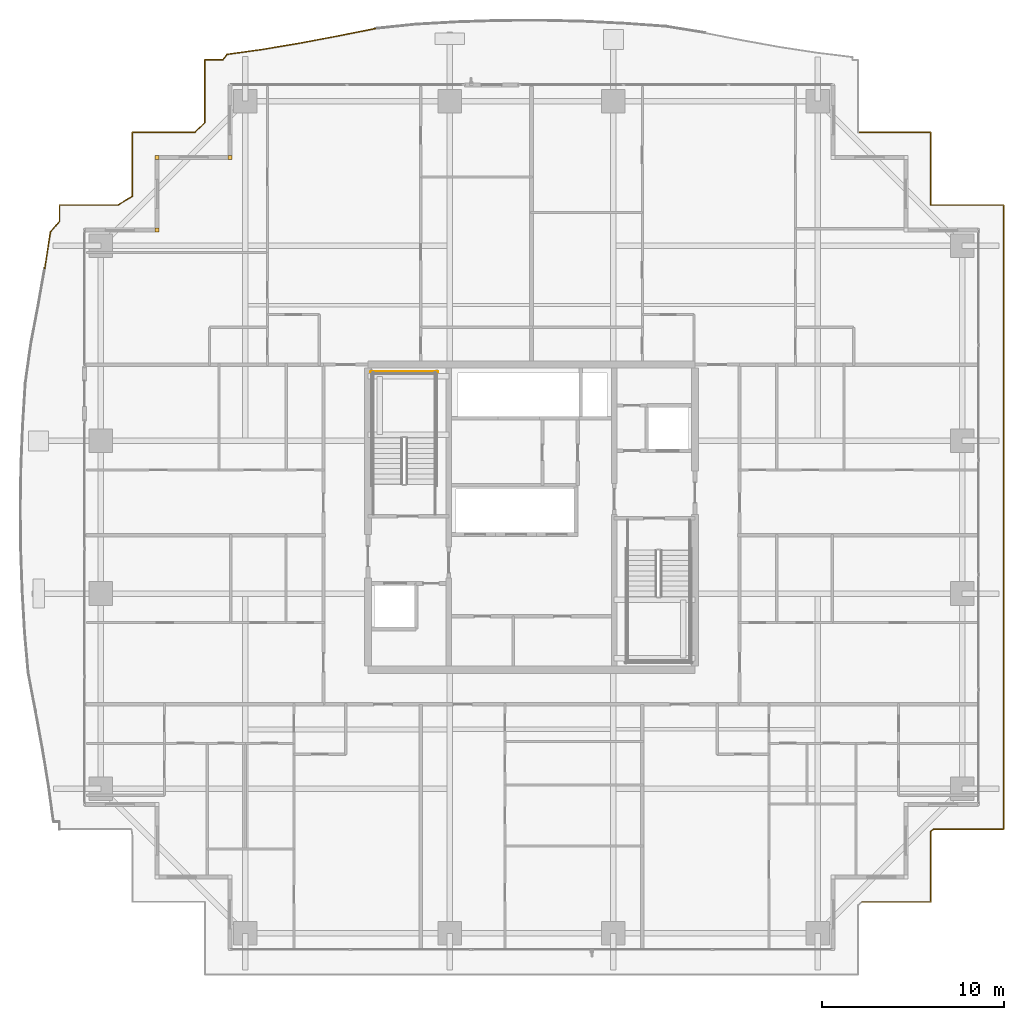
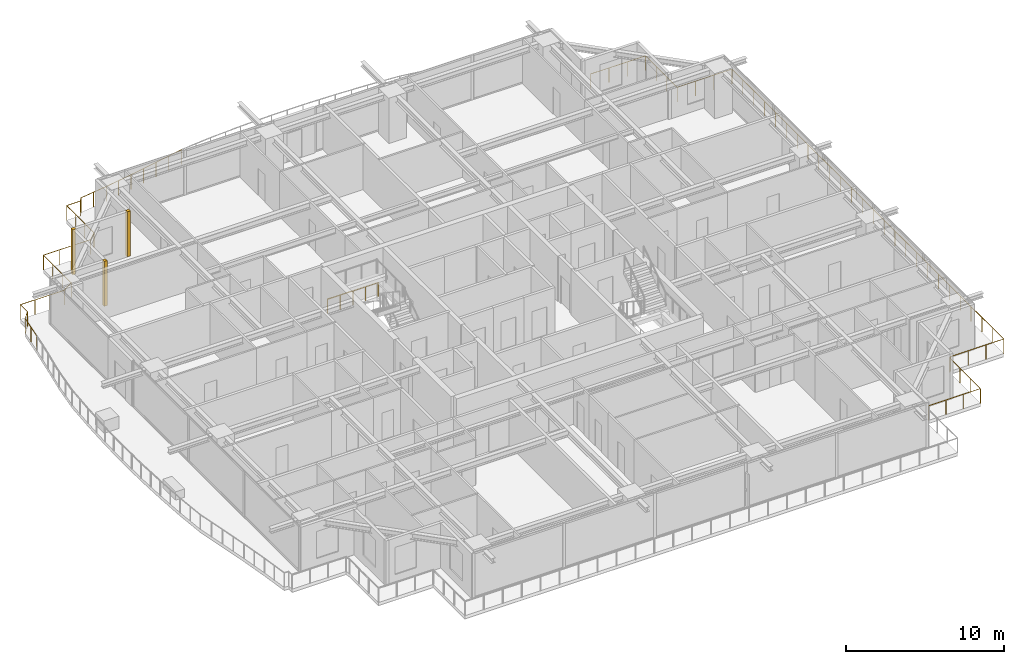
# One storey, part 38 of 39: 4 railings, 3 coverings.
"""IFC4 building model written with IfcOpenShell, lengths in metres."""

import ifcopenshell
import ifcopenshell.guid

model = None  # the IFC model being written
_history = None  # IfcOwnerHistory: only IFC2X3 demands one
_inside = {}  # id of a spatial element -> (the spatial element, [elements in it])
_under = {}  # id of a project, library or spatial element -> (it, [spatial elements below it])
_declared = {}  # id of a project -> (the project, [libraries it declares])
_typed = {}  # id of a type object -> (the type object, [elements of that type])
_made_of = {}  # id of a material, layer set ... -> (it, [elements and type objects made of it])


def new_model(schema):
    """Start an empty IFC model of exactly this schema.

    Asked for "IFC4X3", IfcOpenShell would pick the latest addendum, in which some entities
    have other attributes; the version numbers below select the first issue.
    IFC2X3 requires an IfcOwnerHistory on every rooted entity: one is made here for all.
    """
    global model, _history
    if schema == "IFC4X3":
        model = ifcopenshell.file(schema_version=(4, 3, 0, 0))
    else:
        model = ifcopenshell.file(schema=schema)
    _inside.clear()
    _under.clear()
    _declared.clear()
    _typed.clear()
    _made_of.clear()
    _history = None
    if model.schema == "IFC2X3":
        org = make("IfcOrganization", Name="unknown")
        user = make(
            "IfcPersonAndOrganization",
            ThePerson=make("IfcPerson", FamilyName="unknown"),
            TheOrganization=org,
        )
        app = make(
            "IfcApplication",
            ApplicationDeveloper=org,
            Version="unknown",
            ApplicationFullName="unknown",
            ApplicationIdentifier="unknown",
        )
        _history = make(
            "IfcOwnerHistory",
            OwningUser=user,
            OwningApplication=app,
            ChangeAction="ADDED",
            CreationDate=0,
        )
    return model


def make(cls, **values):
    """One entity of the class cls with the attributes given. An attribute that is None is left unset."""
    return model.create_entity(
        cls, **{name: value for name, value in values.items() if value is not None}
    )


def rooted(cls, **values):
    """An entity with a GlobalId (a new one), such as an element, a storey or a relation."""
    return make(cls, GlobalId=ifcopenshell.guid.new(), OwnerHistory=_history, **values)


def si_unit(unit_type, name, prefix=None):
    """IfcSIUnit, for example si_unit("LENGTHUNIT", "METRE", prefix="MILLI")."""
    return make("IfcSIUnit", UnitType=unit_type, Prefix=prefix, Name=name)


def assignment(units):
    """IfcUnitAssignment: the units of a project."""
    return None if units is None else make("IfcUnitAssignment", Units=units)


def point(xyz):
    """IfcCartesianPoint."""
    return None if xyz is None else make("IfcCartesianPoint", Coordinates=xyz)


def direction(xyz):
    """IfcDirection."""
    return None if xyz is None else make("IfcDirection", DirectionRatios=xyz)


def frame(location, z_axis=None, x_axis=None):
    """IfcAxis2Placement3D, a coordinate frame: its origin and axes. An axis left out is left unset."""
    return make(
        "IfcAxis2Placement3D",
        Location=point(location),
        Axis=direction(z_axis),
        RefDirection=direction(x_axis),
    )


def frame_2d(location, x_axis=None):
    """IfcAxis2Placement2D, a coordinate frame in the plane: its origin and x axis."""
    return make(
        "IfcAxis2Placement2D", Location=point(location), RefDirection=direction(x_axis)
    )


def origin():
    """The frame at (0, 0, 0) with its axes left unset."""
    return frame((0.0, 0.0, 0.0))


def origin_2d():
    """The frame at (0, 0) in the plane with its x axis left unset."""
    return frame_2d((0.0, 0.0))


def place(relative_to, where):
    """IfcLocalPlacement: puts the frame where relative to a parent placement (None: the world)."""
    return make(
        "IfcLocalPlacement", PlacementRelTo=relative_to, RelativePlacement=where
    )


def context(
    kind, dimensions, precision=None, world=None, true_north=None, identifier=None
):
    """IfcGeometricRepresentationContext, for example the 3D "Model" context."""
    return make(
        "IfcGeometricRepresentationContext",
        ContextIdentifier=identifier,
        ContextType=kind,
        CoordinateSpaceDimension=dimensions,
        Precision=precision,
        WorldCoordinateSystem=world,
        TrueNorth=true_north,
    )


def subcontext(parent, identifier, kind, view, scale=None):
    """IfcGeometricRepresentationSubContext, for example "Body" below "Model"."""
    return make(
        "IfcGeometricRepresentationSubContext",
        ContextIdentifier=identifier,
        ContextType=kind,
        ParentContext=parent,
        TargetScale=scale,
        TargetView=view,
    )


def project(units=None, contexts=None):
    """IfcProject with its units and contexts."""
    return rooted(
        "IfcProject",
        Name="project",
        RepresentationContexts=contexts,
        UnitsInContext=assignment(units),
    )


def spatial(cls, under=None, at=None, **own):
    """A site, building, storey or space (cls), placed at a placement, below another one or the project."""
    s = rooted(cls, ObjectPlacement=at, **own)
    if under is not None:
        _under.setdefault(under.id(), (under, []))[1].append(s)
    return s


def profile(cls, at=None, kind="AREA", **sizes):
    """A parametric profile (cls). Its sizes go by their IFC names, for example OverallWidth=200.0."""
    return make(cls, ProfileType=kind, Position=at, **sizes)


def rectangle(**sizes):
    """IfcRectangleProfileDef."""
    return profile("IfcRectangleProfileDef", **sizes)


def circle(**sizes):
    """IfcCircleProfileDef."""
    return profile("IfcCircleProfileDef", **sizes)


def extrude(swept, where, along, depth):
    """IfcExtrudedAreaSolid: the profile swept, set in the frame where, extruded along a direction by depth."""
    return make(
        "IfcExtrudedAreaSolid",
        SweptArea=swept,
        Position=where,
        ExtrudedDirection=direction(along),
        Depth=depth,
    )


def shape(context_of_items, identifier, shape_type, items):
    """IfcShapeRepresentation: the items that make up one representation, for example the "Body"."""
    return make(
        "IfcShapeRepresentation",
        ContextOfItems=context_of_items,
        RepresentationIdentifier=identifier,
        RepresentationType=shape_type,
        Items=items,
    )


def source(mapping_origin, context_of_items, identifier, shape_type, items):
    """IfcRepresentationMap: a shape defined once, which mapped items show again and again."""
    return make(
        "IfcRepresentationMap",
        MappingOrigin=mapping_origin,
        MappedRepresentation=shape(context_of_items, identifier, shape_type, items),
    )


def transform(
    local_origin,
    x_axis=None,
    y_axis=None,
    z_axis=None,
    scale=None,
    scale2=None,
    scale3=None,
    uniform=True,
):
    """IfcCartesianTransformationOperator3D, or its non-uniform kind. x_axis, y_axis, z_axis: its Axis1, 2, 3."""
    if uniform:
        return make(
            "IfcCartesianTransformationOperator3D",
            Axis1=direction(x_axis),
            Axis2=direction(y_axis),
            LocalOrigin=point(local_origin),
            Scale=scale,
            Axis3=direction(z_axis),
        )
    return make(
        "IfcCartesianTransformationOperator3DnonUniform",
        Axis1=direction(x_axis),
        Axis2=direction(y_axis),
        LocalOrigin=point(local_origin),
        Scale=scale,
        Axis3=direction(z_axis),
        Scale2=scale2,
        Scale3=scale3,
    )


def mapped(mapping_source, mapping_target):
    """IfcMappedItem: shows the shape of a source again, moved by a transform."""
    return make(
        "IfcMappedItem", MappingSource=mapping_source, MappingTarget=mapping_target
    )


def material(Name=None, Category=None):
    """IfcMaterial."""
    return make("IfcMaterial", Name=Name, Category=Category)


def layer(
    of_material, thickness, ventilated=None, Name=None, Category=None, Priority=None
):
    """IfcMaterialLayer: one layer of a wall or slab, of a material (None: an air gap)."""
    return make(
        "IfcMaterialLayer",
        Material=of_material,
        LayerThickness=thickness,
        IsVentilated=ventilated,
        Name=Name,
        Category=Category,
        Priority=Priority,
    )


def layer_set(layers, Name=None):
    """IfcMaterialLayerSet."""
    return make("IfcMaterialLayerSet", MaterialLayers=layers, LayerSetName=Name)


def made_of(thing, what):
    """Note that an element or type object is made of a material, layer set ...; save() writes the relation."""
    if what is not None:
        _made_of.setdefault(what.id(), (what, []))[1].append(thing)
    return thing


def type_object(cls, material=None, **own):
    """A type object (cls), such as IfcWallType, which elements share."""
    return made_of(rooted(cls, **own), material)


def element(
    cls,
    number,
    at=None,
    inside=None,
    cuts=None,
    type_object=None,
    material=None,
    context=None,
    identifier="Body",
    shape_type=None,
    held_by="IfcProductDefinitionShape",
    body=None,
    shapes=None,
    **own,
):
    """One element of the class cls, such as IfcWall. Its Tag is "e" and its number.

    at: its placement. inside: the storey or other place that contains it. cuts: it is an
    opening in that element (IfcRelVoidsElement). A single representation is given by context,
    identifier, shape_type and body (its items); several are given by shapes. held_by: the class
    of the entity that holds the representations. save() writes the other relations.
    """
    e = rooted(cls, Tag="e%d" % number, ObjectPlacement=at, **own)
    if body is not None:
        shapes = [shape(context, identifier, shape_type, body)]
    if shapes is not None:
        e.Representation = make(held_by, Representations=shapes)
    if inside is not None:
        _inside.setdefault(inside.id(), (inside, []))[1].append(e)
    if cuts is not None:
        rooted(
            "IfcRelVoidsElement", RelatingBuildingElement=cuts, RelatedOpeningElement=e
        )
    if type_object is not None:
        _typed.setdefault(type_object.id(), (type_object, []))[1].append(e)
    return made_of(e, material)


def aggregate(whole, parts):
    """IfcRelAggregates: a whole, such as a stair, and the parts it consists of."""
    return rooted("IfcRelAggregates", RelatingObject=whole, RelatedObjects=parts)


def save(model, path):
    """Write the relations noted so far, then the file.

    IfcRelAggregates (storeys below a building ...), IfcRelContainedInSpatialStructure (elements
    in a storey), IfcRelDefinesByType, IfcRelAssociatesMaterial and IfcRelDeclares: one each for
    every whole, place, type object, material and project.
    """
    for whole, parts in _under.values():
        aggregate(whole, parts)
    for where, things in _inside.values():
        rooted(
            "IfcRelContainedInSpatialStructure",
            RelatedElements=things,
            RelatingStructure=where,
        )
    for kind, things in _typed.values():
        rooted("IfcRelDefinesByType", RelatedObjects=things, RelatingType=kind)
    for what, things in _made_of.values():
        rooted("IfcRelAssociatesMaterial", RelatedObjects=things, RelatingMaterial=what)
    for by, libraries in _declared.values():
        rooted("IfcRelDeclares", RelatingContext=by, RelatedDefinitions=libraries)
    model.write(path)


model = new_model("IFC4")

# Units and contexts
model_context = context("Model", 3, precision=1e-05, world=origin(), true_north=direction((0.0, 1.0)))
body_context = subcontext(model_context, "Body", "Model", "MODEL_VIEW")
ifc_project = project(units=[si_unit("LENGTHUNIT", "METRE"), si_unit("AREAUNIT", "SQUARE_METRE"), si_unit("VOLUMEUNIT", "CUBIC_METRE"), si_unit("PLANEANGLEUNIT", "RADIAN"), si_unit("MASSUNIT", "GRAM", prefix="KILO")], contexts=[model_context])

# Site, building, storey
site_placement = place(None, origin())
site = spatial("IfcSite", under=ifc_project, at=site_placement, CompositionType="ELEMENT")
building_placement = place(site_placement, origin())
building = spatial("IfcBuilding", under=site, at=building_placement, Name="Serunith Strait Residences", CompositionType="ELEMENT")
storey_placement = place(building_placement, frame((0.0, 0.0, 123.89990234375)))
storey = spatial("IfcBuildingStorey", under=building, at=storey_placement, Name="L30", CompositionType="ELEMENT", Elevation=123.89990234375)

# Railings
ifc_material_1 = material(Name="Stainless Steel & Laminated Glass Balustrade", Category="steel")
railing_type_1 = type_object("IfcRailingType", Name="RLG-BALC-1150", PredefinedType="BALUSTRADE", material=ifc_material_1)
railing_1_placement = place(storey_placement, frame((5.6083984375, 38.88623046875, -0.0498046875)))
element("IfcRailing", 1, at=railing_1_placement, inside=storey, type_object=railing_type_1, Name="L30 Swirling Balcony Perimeter Balustrade 3", PredefinedType="BALUSTRADE", context=body_context, shape_type="SweptSolid", body=[
    extrude(circle(Radius=0.02392578125, at=origin_2d()), frame((0.000244140625, 0.001953125, 1.1259765625), z_axis=(0.153418109504, 0.988161365201, 0.0), x_axis=(-0.988161365201, 0.153418109504, 0.0)), (0.0, 0.0, 1.0), 2.03125),
    extrude(circle(Radius=0.02392578125, at=origin_2d()), frame((0.3134765625, 2.0126953125, 1.1259765625), z_axis=(0.649822605794, 0.760085903697, 0.0), x_axis=(-0.760085903697, 0.649822605794, 0.0)), (0.0, 0.0, 1.0), 0.764404296875),
    extrude(circle(Radius=0.02392578125, at=origin_2d()), frame((0.8115234375, 2.59716796875, 1.1259765625), z_axis=(0.0, 1.0, 0.0), x_axis=(-1.0, 0.0, 0.0)), (0.0, 0.0, 1.0), 0.89453125),
    extrude(circle(Radius=0.02392578125, at=origin_2d()), frame((0.8134765625, 3.49365234375, 1.1259765625), z_axis=(1.0, 0.0, 0.0), x_axis=(0.0, 1.0, 0.0)), (0.0, 0.0, 1.0), 3.20556640625),
    extrude(circle(Radius=0.02392578125, at=origin_2d()), frame((4.022705078125, 3.49462890625, 1.1259765625), z_axis=(0.858753992877, 0.512388114341, 0.0), x_axis=(-0.512388114341, 0.858753992877, 0.0)), (0.0, 0.0, 1.0), 0.91650390625),
    extrude(circle(Radius=0.02392578125, at=origin_2d()), frame((4.8115234375, 3.96728515625, 1.1259765625), z_axis=(0.0, 1.0, 0.0), x_axis=(-1.0, 0.0, 0.0)), (0.0, 0.0, 1.0), 3.5244140625),
    extrude(circle(Radius=0.02392578125, at=origin_2d()), frame((4.8134765625, 7.49365234375, 1.1259765625), z_axis=(1.0, 0.0, 0.0), x_axis=(0.0, 1.0, 0.0)), (0.0, 0.0, 1.0), 3.439697265625),
    extrude(circle(Radius=0.02099609375, at=origin_2d()), origin(), (0.0, 0.0, 1.0), 1.099853515625),
    extrude(circle(Radius=0.02099609375, at=origin_2d()), frame((0.15625, 1.005615234375, 0.0)), (0.0, 0.0, 1.0), 1.099853515625),
    extrude(circle(Radius=0.02099609375, at=origin_2d()), frame((0.312255859375, 2.01123046875, 0.0)), (0.0, 0.0, 1.0), 1.099853515625),
    extrude(circle(Radius=0.02099609375, at=origin_2d()), frame((0.8115234375, 2.59521484375, 0.0)), (0.0, 0.0, 1.0), 1.099853515625),
    extrude(circle(Radius=0.02099609375, at=origin_2d()), frame((0.8115234375, 3.49365234375, 0.0)), (0.0, 0.0, 1.0), 1.099853515625),
    extrude(circle(Radius=0.02099609375, at=origin_2d()), frame((1.88134765625, 3.49365234375, 0.0)), (0.0, 0.0, 1.0), 1.099853515625),
    extrude(circle(Radius=0.02099609375, at=origin_2d()), frame((2.951171875, 3.49365234375, 0.0)), (0.0, 0.0, 1.0), 1.099853515625),
    extrude(circle(Radius=0.02099609375, at=origin_2d()), frame((4.02099609375, 3.49365234375, 0.0)), (0.0, 0.0, 1.0), 1.099853515625),
    extrude(circle(Radius=0.02099609375, at=origin_2d()), frame((4.8115234375, 3.96533203125, 0.0)), (0.0, 0.0, 1.0), 1.099853515625),
    extrude(circle(Radius=0.02099609375, at=origin_2d()), frame((4.8115234375, 5.141357421875, 0.0)), (0.0, 0.0, 1.0), 1.099853515625),
    extrude(circle(Radius=0.02099609375, at=origin_2d()), frame((4.8115234375, 6.317626953125, 0.0)), (0.0, 0.0, 1.0), 1.099853515625),
    extrude(circle(Radius=0.02099609375, at=origin_2d()), frame((4.8115234375, 7.49365234375, 0.0)), (0.0, 0.0, 1.0), 1.099853515625),
    extrude(circle(Radius=0.02099609375, at=origin_2d()), frame((5.95947265625, 7.49365234375, 0.0)), (0.0, 0.0, 1.0), 1.099853515625),
    extrude(circle(Radius=0.02099609375, at=origin_2d()), frame((7.107177734375, 7.49365234375, 0.0)), (0.0, 0.0, 1.0), 1.099853515625),
    extrude(circle(Radius=0.02099609375, at=origin_2d()), frame((8.255126953125, 7.49365234375, 0.0)), (0.0, 0.0, 1.0), 1.099853515625),
])
railing_2_placement = place(storey_placement, frame((13.863525390625, 46.3798828125, -0.0498046875)))
element("IfcRailing", 2, at=railing_2_placement, inside=storey, type_object=railing_type_1, Name="L30 Swirling Balcony Perimeter Balustrade 4", PredefinedType="BALUSTRADE", context=body_context, shape_type="SweptSolid", body=[
    extrude(circle(Radius=0.02392578125, at=origin_2d()), frame((0.00146484375, 0.00146484375, 1.1259765625), z_axis=(0.720097984806, 0.693872389045, 0.0), x_axis=(-0.693872389045, 0.720097984806, 0.0)), (0.0, 0.0, 1.0), 0.7685546875),
    extrude(circle(Radius=0.02392578125, at=origin_2d()), frame((0.556396484375, 0.5380859375, 1.1259765625), z_axis=(0.0, 1.0, 0.0), x_axis=(-1.0, 0.0, 0.0)), (0.0, 0.0, 1.0), 3.4599609375),
    extrude(circle(Radius=0.02392578125, at=origin_2d()), frame((0.558349609375, 4.0, 1.1259765625), z_axis=(1.0, 0.0, 0.0), x_axis=(0.0, 1.0, 0.0)), (0.0, 0.0, 1.0), 1.000244140625),
    extrude(circle(Radius=0.02392578125, at=origin_2d()), frame((1.561767578125, 4.001708984375, 1.1259765625), z_axis=(0.581238193719, 0.813733471207, 0.0), x_axis=(-0.813733471207, 0.581238193719, 0.0)), (0.0, 0.0, 1.0), 0.355224609375),
    extrude(circle(Radius=0.02392578125, at=origin_2d()), frame((1.771240234375, 4.29248046875, 1.1259765625), z_axis=(0.990352047017, 0.138574250744, 0.0), x_axis=(-0.138574250744, 0.990352047017, 0.0)), (0.0, 0.0, 1.0), 2.01318359375),
    extrude(circle(Radius=0.02392578125, at=origin_2d()), frame((3.76904296875, 4.572021484375, 1.1259765625), z_axis=(0.986193128068, 0.165599257703, 0.0), x_axis=(-0.165599257703, 0.986193128068, 0.0)), (0.0, 0.0, 1.0), 2.040771484375),
    extrude(circle(Radius=0.02392578125, at=origin_2d()), frame((5.78564453125, 4.910888671875, 1.1259765625), z_axis=(0.982511955858, 0.186199507507, 0.0), x_axis=(-0.186199507507, 0.982511955858, 0.0)), (0.0, 0.0, 1.0), 2.0859375),
    extrude(circle(Radius=0.02392578125, at=origin_2d()), frame((7.839111328125, 5.300048828125, 1.1259765625), z_axis=(0.98112675012, 0.193365716193, 0.0), x_axis=(-0.193365716193, 0.98112675012, 0.0)), (0.0, 0.0, 1.0), 2.1474609375),
    extrude(circle(Radius=0.02099609375, at=origin_2d()), origin(), (0.0, 0.0, 1.0), 1.099853515625),
    extrude(circle(Radius=0.02099609375, at=origin_2d()), frame((0.556396484375, 0.5361328125, 0.0)), (0.0, 0.0, 1.0), 1.099853515625),
    extrude(circle(Radius=0.02099609375, at=origin_2d()), frame((0.556396484375, 1.690673828125, 0.0)), (0.0, 0.0, 1.0), 1.099853515625),
    extrude(circle(Radius=0.02099609375, at=origin_2d()), frame((0.556396484375, 2.845458984375, 0.0)), (0.0, 0.0, 1.0), 1.099853515625),
    extrude(circle(Radius=0.02099609375, at=origin_2d()), frame((0.556396484375, 4.0, 0.0)), (0.0, 0.0, 1.0), 1.099853515625),
    extrude(circle(Radius=0.02099609375, at=origin_2d()), frame((1.560546875, 4.0, 0.0)), (0.0, 0.0, 1.0), 1.099853515625),
    extrude(circle(Radius=0.02099609375, at=origin_2d()), frame((1.769287109375, 4.292236328125, 0.0)), (0.0, 0.0, 1.0), 1.099853515625),
    extrude(circle(Radius=0.02099609375, at=origin_2d()), frame((2.76806640625, 4.43212890625, 0.0)), (0.0, 0.0, 1.0), 1.099853515625),
    extrude(circle(Radius=0.02099609375, at=origin_2d()), frame((3.76708984375, 4.57177734375, 0.0)), (0.0, 0.0, 1.0), 1.099853515625),
    extrude(circle(Radius=0.02099609375, at=origin_2d()), frame((4.775390625, 4.7412109375, 0.0)), (0.0, 0.0, 1.0), 1.099853515625),
    extrude(circle(Radius=0.02099609375, at=origin_2d()), frame((5.78369140625, 4.910400390625, 0.0)), (0.0, 0.0, 1.0), 1.099853515625),
    extrude(circle(Radius=0.02099609375, at=origin_2d()), frame((6.810546875, 5.10498046875, 0.0)), (0.0, 0.0, 1.0), 1.099853515625),
    extrude(circle(Radius=0.02099609375, at=origin_2d()), frame((7.837158203125, 5.299560546875, 0.0)), (0.0, 0.0, 1.0), 1.099853515625),
    extrude(circle(Radius=0.02099609375, at=origin_2d()), frame((8.892578125, 5.507568359375, 0.0)), (0.0, 0.0, 1.0), 1.099853515625),
    extrude(circle(Radius=0.02099609375, at=origin_2d()), frame((9.947998046875, 5.715576171875, 0.0)), (0.0, 0.0, 1.0), 1.099853515625),
])
railing_3_placement = place(storey_placement, frame((50.3798828125, 46.3798828125, -0.0498046875)))
element("IfcRailing", 3, at=railing_3_placement, inside=storey, type_object=railing_type_1, Name="L30 Swirling Balcony Perimeter Balustrade 7", PredefinedType="BALUSTRADE", context=body_context, shape_type="SweptSolid", body=[
    extrude(circle(Radius=0.02392578125, at=origin_2d()), frame((0.001953125, 0.0, 1.1259765625), z_axis=(1.0, 0.0, 0.0), x_axis=(0.0, 1.0, 0.0)), (0.0, 0.0, 1.0), 3.99609375),
    extrude(circle(Radius=0.02392578125, at=origin_2d()), frame((4.0, -0.001953125, 1.1259765625), z_axis=(0.0, -1.0, 0.0), x_axis=(1.0, 0.0, 0.0)), (0.0, 0.0, 1.0), 3.99609375),
    extrude(circle(Radius=0.02392578125, at=origin_2d()), frame((4.001953125, -4.0, 1.1259765625), z_axis=(1.0, 0.0, 0.0), x_axis=(0.0, 1.0, 0.0)), (0.0, 0.0, 1.0), 3.99609375),
    extrude(circle(Radius=0.02392578125, at=origin_2d()), frame((8.0, -4.001953125, 1.1259765625), z_axis=(0.0, -1.0, 0.0), x_axis=(1.0, 0.0, 0.0)), (0.0, 0.0, 1.0), 34.35595703125),
    extrude(circle(Radius=0.02392578125, at=origin_2d()), frame((7.998046875, -38.35986328125, 1.1259765625), z_axis=(-1.0, 0.0, 0.0), x_axis=(0.0, -1.0, 0.0)), (0.0, 0.0, 1.0), 3.86083984375),
    extrude(circle(Radius=0.02392578125, at=origin_2d()), frame((4.133544921875, -38.361083984375, 1.1259765625), z_axis=(-0.809367380782, -0.587302684249, 0.0), x_axis=(0.587302684249, -0.809367380782, 0.0)), (0.0, 0.0, 1.0), 0.1630859375),
    extrude(circle(Radius=0.02392578125, at=origin_2d()), frame((4.0, -38.4599609375, 1.1259765625), z_axis=(0.0, -1.0, 0.0), x_axis=(1.0, 0.0, 0.0)), (0.0, 0.0, 1.0), 3.89794921875),
    extrude(circle(Radius=0.02392578125, at=origin_2d()), frame((3.998046875, -42.35986328125, 1.1259765625), z_axis=(-1.0, 0.0, 0.0), x_axis=(0.0, -1.0, 0.0)), (0.0, 0.0, 1.0), 3.774169921875),
    extrude(circle(Radius=0.02099609375, at=origin_2d()), origin(), (0.0, 0.0, 1.0), 1.099853515625),
    extrude(circle(Radius=0.02099609375, at=origin_2d()), frame((1.333251953125, 0.0, 0.0)), (0.0, 0.0, 1.0), 1.099853515625),
    extrude(circle(Radius=0.02099609375, at=origin_2d()), frame((2.666748046875, 0.0, 0.0)), (0.0, 0.0, 1.0), 1.099853515625),
    extrude(circle(Radius=0.02099609375, at=origin_2d()), frame((4.0, 0.0, 0.0)), (0.0, 0.0, 1.0), 1.099853515625),
    extrude(circle(Radius=0.02099609375, at=origin_2d()), frame((4.0, -1.333251953125, 0.0)), (0.0, 0.0, 1.0), 1.099853515625),
    extrude(circle(Radius=0.02099609375, at=origin_2d()), frame((4.0, -2.666748046875, 0.0)), (0.0, 0.0, 1.0), 1.099853515625),
    extrude(circle(Radius=0.02099609375, at=origin_2d()), frame((4.0, -4.0, 0.0)), (0.0, 0.0, 1.0), 1.099853515625),
    extrude(circle(Radius=0.02099609375, at=origin_2d()), frame((5.333251953125, -4.0, 0.0)), (0.0, 0.0, 1.0), 1.099853515625),
    extrude(circle(Radius=0.02099609375, at=origin_2d()), frame((6.666748046875, -4.0, 0.0)), (0.0, 0.0, 1.0), 1.099853515625),
    extrude(circle(Radius=0.02099609375, at=origin_2d()), frame((8.0, -4.0, 0.0)), (0.0, 0.0, 1.0), 1.099853515625),
    extrude(circle(Radius=0.02099609375, at=origin_2d()), frame((8.0, -5.37451171875, 0.0)), (0.0, 0.0, 1.0), 1.099853515625),
    extrude(circle(Radius=0.02099609375, at=origin_2d()), frame((8.0, -6.748779296875, 0.0)), (0.0, 0.0, 1.0), 1.099853515625),
    extrude(circle(Radius=0.02099609375, at=origin_2d()), frame((8.0, -8.123291015625, 0.0)), (0.0, 0.0, 1.0), 1.099853515625),
    extrude(circle(Radius=0.02099609375, at=origin_2d()), frame((8.0, -9.49755859375, 0.0)), (0.0, 0.0, 1.0), 1.099853515625),
    extrude(circle(Radius=0.02099609375, at=origin_2d()), frame((8.0, -10.8720703125, 0.0)), (0.0, 0.0, 1.0), 1.099853515625),
    extrude(circle(Radius=0.02099609375, at=origin_2d()), frame((8.0, -12.246337890625, 0.0)), (0.0, 0.0, 1.0), 1.099853515625),
    extrude(circle(Radius=0.02099609375, at=origin_2d()), frame((8.0, -13.620849609375, 0.0)), (0.0, 0.0, 1.0), 1.099853515625),
    extrude(circle(Radius=0.02099609375, at=origin_2d()), frame((8.0, -14.9951171875, 0.0)), (0.0, 0.0, 1.0), 1.099853515625),
    extrude(circle(Radius=0.02099609375, at=origin_2d()), frame((8.0, -16.36962890625, 0.0)), (0.0, 0.0, 1.0), 1.099853515625),
    extrude(circle(Radius=0.02099609375, at=origin_2d()), frame((8.0, -17.743896484375, 0.0)), (0.0, 0.0, 1.0), 1.099853515625),
    extrude(circle(Radius=0.02099609375, at=origin_2d()), frame((8.0, -19.118408203125, 0.0)), (0.0, 0.0, 1.0), 1.099853515625),
    extrude(circle(Radius=0.02099609375, at=origin_2d()), frame((8.0, -20.49267578125, 0.0)), (0.0, 0.0, 1.0), 1.099853515625),
    extrude(circle(Radius=0.02099609375, at=origin_2d()), frame((8.0, -21.8671875, 0.0)), (0.0, 0.0, 1.0), 1.099853515625),
    extrude(circle(Radius=0.02099609375, at=origin_2d()), frame((8.0, -23.241455078125, 0.0)), (0.0, 0.0, 1.0), 1.099853515625),
    extrude(circle(Radius=0.02099609375, at=origin_2d()), frame((8.0, -24.615966796875, 0.0)), (0.0, 0.0, 1.0), 1.099853515625),
    extrude(circle(Radius=0.02099609375, at=origin_2d()), frame((8.0, -25.990234375, 0.0)), (0.0, 0.0, 1.0), 1.099853515625),
    extrude(circle(Radius=0.02099609375, at=origin_2d()), frame((8.0, -27.36474609375, 0.0)), (0.0, 0.0, 1.0), 1.099853515625),
    extrude(circle(Radius=0.02099609375, at=origin_2d()), frame((8.0, -28.739013671875, 0.0)), (0.0, 0.0, 1.0), 1.099853515625),
    extrude(circle(Radius=0.02099609375, at=origin_2d()), frame((8.0, -30.113525390625, 0.0)), (0.0, 0.0, 1.0), 1.099853515625),
    extrude(circle(Radius=0.02099609375, at=origin_2d()), frame((8.0, -31.48779296875, 0.0)), (0.0, 0.0, 1.0), 1.099853515625),
    extrude(circle(Radius=0.02099609375, at=origin_2d()), frame((8.0, -32.8623046875, 0.0)), (0.0, 0.0, 1.0), 1.099853515625),
    extrude(circle(Radius=0.02099609375, at=origin_2d()), frame((8.0, -34.236572265625, 0.0)), (0.0, 0.0, 1.0), 1.099853515625),
    extrude(circle(Radius=0.02099609375, at=origin_2d()), frame((8.0, -35.611083984375, 0.0)), (0.0, 0.0, 1.0), 1.099853515625),
    extrude(circle(Radius=0.02099609375, at=origin_2d()), frame((8.0, -36.9853515625, 0.0)), (0.0, 0.0, 1.0), 1.099853515625),
    extrude(circle(Radius=0.02099609375, at=origin_2d()), frame((8.0, -38.35986328125, 0.0)), (0.0, 0.0, 1.0), 1.099853515625),
    extrude(circle(Radius=0.02099609375, at=origin_2d()), frame((6.711669921875, -38.35986328125, 0.0)), (0.0, 0.0, 1.0), 1.099853515625),
    extrude(circle(Radius=0.02099609375, at=origin_2d()), frame((5.423583984375, -38.35986328125, 0.0)), (0.0, 0.0, 1.0), 1.099853515625),
    extrude(circle(Radius=0.02099609375, at=origin_2d()), frame((4.13525390625, -38.35986328125, 0.0)), (0.0, 0.0, 1.0), 1.099853515625),
    extrude(circle(Radius=0.02099609375, at=origin_2d()), frame((4.0, -38.4580078125, 0.0)), (0.0, 0.0, 1.0), 1.099853515625),
    extrude(circle(Radius=0.02099609375, at=origin_2d()), frame((4.0, -39.758544921875, 0.0)), (0.0, 0.0, 1.0), 1.099853515625),
    extrude(circle(Radius=0.02099609375, at=origin_2d()), frame((4.0, -41.059326171875, 0.0)), (0.0, 0.0, 1.0), 1.099853515625),
    extrude(circle(Radius=0.02099609375, at=origin_2d()), frame((4.0, -42.35986328125, 0.0)), (0.0, 0.0, 1.0), 1.099853515625),
    extrude(circle(Radius=0.02099609375, at=origin_2d()), frame((2.74072265625, -42.35986328125, 0.0)), (0.0, 0.0, 1.0), 1.099853515625),
    extrude(circle(Radius=0.02099609375, at=origin_2d()), frame((1.481201171875, -42.35986328125, 0.0)), (0.0, 0.0, 1.0), 1.099853515625),
    extrude(circle(Radius=0.02099609375, at=origin_2d()), frame((0.221923828125, -42.35986328125, 0.0)), (0.0, 0.0, 1.0), 1.099853515625),
])
ifc_material_2 = material(Name="Brushed stainless steel 316L", Category="steel")
railing_type_2 = type_object("IfcRailingType", Name="RLG-STAIR-GUARD", PredefinedType="BALUSTRADE", material=ifc_material_2)
railing_4_placement = place(storey_placement, frame((27.25, 33.199951171875, 0.0)))
element("IfcRailing", 4, at=railing_4_placement, inside=storey, type_object=railing_type_2, Name="L30 ST-1 stair guard 12", PredefinedType="BALUSTRADE", context=body_context, shape_type="SweptSolid", body=[
    extrude(circle(Radius=0.02392578125, at=origin_2d()), frame((-0.001953125, 0.0, 1.076171875), z_axis=(-1.0, 0.0, 0.0), x_axis=(0.0, -1.0, 0.0)), (0.0, 0.0, 1.0), 3.696044921875),
    extrude(circle(Radius=0.02099609375, at=origin_2d()), origin(), (0.0, 0.0, 1.0), 1.050048828125),
    extrude(circle(Radius=0.02099609375, at=origin_2d()), frame((-0.925048828125, 0.0, 0.0)), (0.0, 0.0, 1.0), 1.050048828125),
    extrude(circle(Radius=0.02099609375, at=origin_2d()), frame((-1.85009765625, 0.0, 0.0)), (0.0, 0.0, 1.0), 1.050048828125),
    extrude(circle(Radius=0.02099609375, at=origin_2d()), frame((-2.77490234375, 0.0, 0.0)), (0.0, 0.0, 1.0), 1.050048828125),
    extrude(circle(Radius=0.02099609375, at=origin_2d()), frame((-3.699951171875, 0.0, 0.0)), (0.0, 0.0, 1.0), 1.050048828125),
])

# Coverings
ifc_material_3 = material(Name="Pale-Champagne Anodised Aluminium", Category="aluminium")
ifc_layer = layer(ifc_material_3, 0.219970703125, Name="Pale-Champagne Anodised Aluminium")
ifc_layer_set = layer_set([ifc_layer], Name="Pale-Champagne Anodised Aluminium")
covering_type = type_object("IfcCoveringType", Name="COV-CORN-TRIM", PredefinedType="CLADDING", material=ifc_layer_set)
shared_shape = source(origin(), body_context, "Body", "SweptSolid", [
    extrude(rectangle(XDim=0.221923828125, YDim=0.221923828125, at=origin_2d()), origin(), (0.0, 0.0, 1.0), 3.47509765625),
])
for number, where, z_axis, x_axis, name in (
    (5, (15.800048828125, 45.0, 0.0), (0.0, 0.0, 1.0), (1.0, 0.0, 0.0), "L30 Girih Serrated Corner Trim Post 12"),
    (6, (11.800048828125, 45.0, 0.0), (0.0, 0.0, 1.0), (1.0, 0.0, 0.0), "L30 Girih Serrated Corner Trim Post 13"),
    (7, (11.800048828125, 41.0, 0.0), (0.0, 0.0, 1.0), (1.0, 0.0, 0.0), "L30 Girih Serrated Corner Trim Post 14"),
):
    element("IfcCovering", number, at=place(storey_placement, frame(where, z_axis=z_axis, x_axis=x_axis)), inside=storey, type_object=covering_type, Name=name, PredefinedType="CLADDING", context=body_context, shape_type="MappedRepresentation", body=[
        mapped(shared_shape, transform((0.0, 0.0, 0.0), scale=1.0)),
    ])

save(model, "model.ifc")
